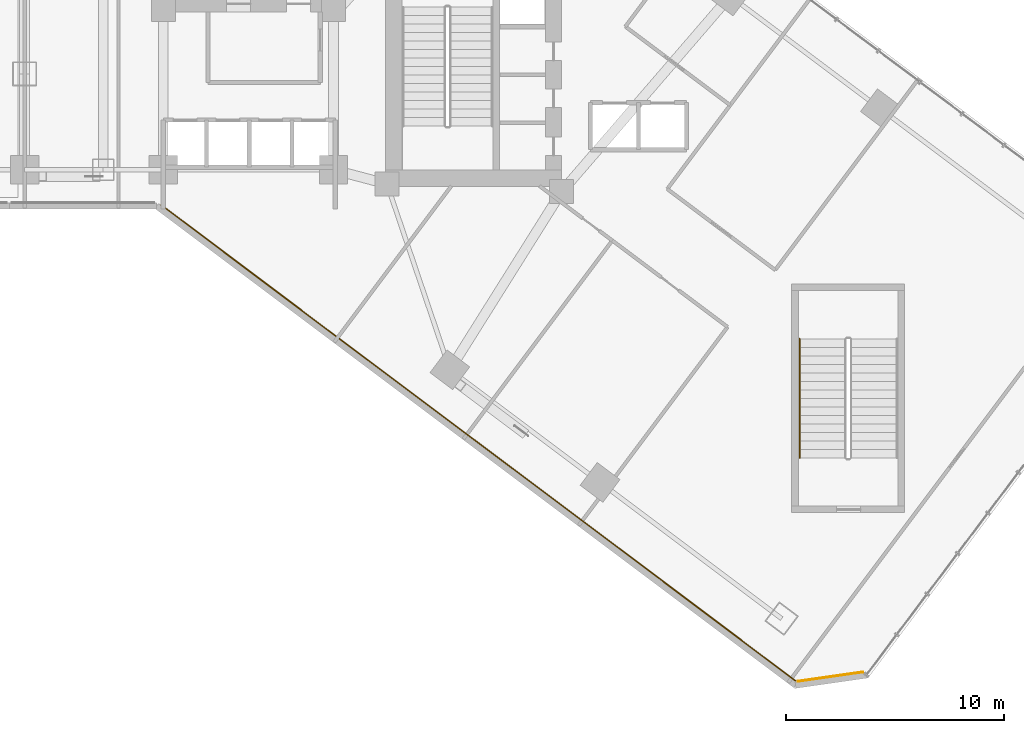
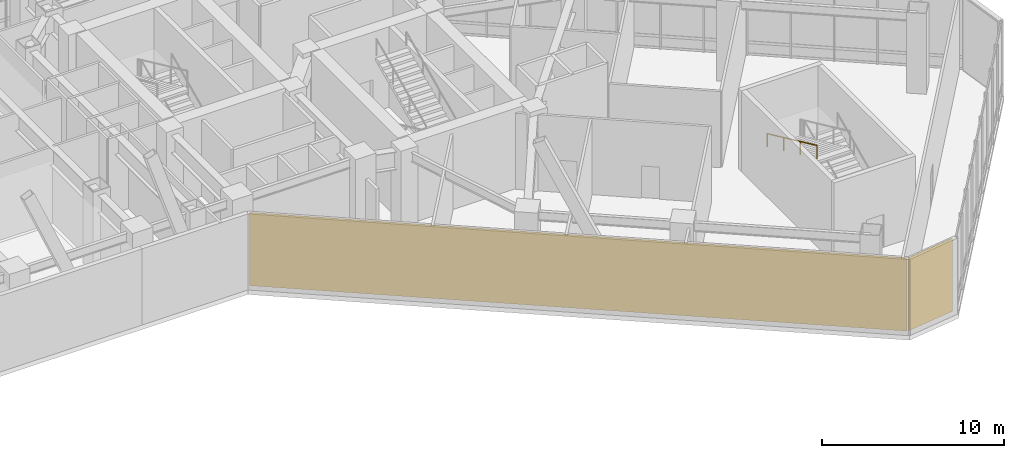
# One storey, part 32 of 35: 2 coverings, 1 railing.
"""IFC4 building model written with IfcOpenShell, lengths in metres."""

from ifc_helpers import new_model, si_unit, direction, frame, origin, origin_2d, place, context, subcontext, project, spatial, rectangle, circle, extrude, material, layer, layer_set, type_object, element, save


model = new_model("IFC4")

# Units and contexts
model_context = context("Model", 3, precision=1e-05, world=origin(), true_north=direction((0.0, 1.0)))
body_context = subcontext(model_context, "Body", "Model", "MODEL_VIEW")
ifc_project = project(units=[si_unit("LENGTHUNIT", "METRE"), si_unit("AREAUNIT", "SQUARE_METRE"), si_unit("VOLUMEUNIT", "CUBIC_METRE"), si_unit("PLANEANGLEUNIT", "RADIAN"), si_unit("MASSUNIT", "GRAM", prefix="KILO")], contexts=[model_context])

# Site, building, storey
site_placement = place(None, origin())
site = spatial("IfcSite", under=ifc_project, at=site_placement, CompositionType="ELEMENT")
building_placement = place(site_placement, origin())
building = spatial("IfcBuilding", under=site, at=building_placement, Name="Hatsunagi Terrace Concourse", CompositionType="ELEMENT")
storey_placement = place(building_placement, frame((0.0, 0.0, 10.800048828125)))
storey = spatial("IfcBuildingStorey", under=building, at=storey_placement, Name="L03", CompositionType="ELEMENT", Elevation=10.800048828125)

# Railing
ifc_material_1 = material(Name="Stainless steel", Category="steel")
ifc_layer_1 = layer(ifc_material_1, 0.050048828125)
ifc_layer_set_1 = layer_set([ifc_layer_1], Name="StairPitchHandrail_Podium2200")
railing_type = type_object("IfcRailingType", Name="StairPitchHandrail_Podium2200", PredefinedType="HANDRAIL", material=ifc_layer_set_1)
railing_placement = place(storey_placement, frame((54.699951171875, 17.4599609375, 2.8798828125)))
element("IfcRailing", 1, at=railing_placement, inside=storey, type_object=railing_type, Name="L03 ST-P2 stair handrail 2", PredefinedType="HANDRAIL", context=body_context, shape_type="SweptSolid", body=[
    extrude(circle(Radius=0.02392578125, at=origin_2d()), frame((0.0, 0.0, 0.8759765625), z_axis=(0.0, -0.907957007956, 0.419063326602), x_axis=(1.0, 0.0, 0.0)), (0.0, 0.0, 1.0), 6.013427734375),
    extrude(circle(Radius=0.02099609375, at=origin_2d()), origin(), (0.0, 0.0, 1.0), 0.851806640625),
    extrude(circle(Radius=0.02099609375, at=origin_2d()), frame((0.0, -1.820068359375, 0.840087890625)), (0.0, 0.0, 1.0), 0.851806640625),
    extrude(circle(Radius=0.02099609375, at=origin_2d()), frame((0.0, -3.639892578125, 1.679931640625)), (0.0, 0.0, 1.0), 0.851806640625),
    extrude(circle(Radius=0.02099609375, at=origin_2d()), frame((0.0, -5.4599609375, 2.52001953125)), (0.0, 0.0, 1.0), 0.851806640625),
])

# Coverings
ifc_material_2 = material(Name="Unglazed Warm Terracotta Rainscreen Tile", Category="masonry")
ifc_layer_2 = layer(ifc_material_2, 0.044921875)
ifc_layer_set_2 = layer_set([ifc_layer_2], Name="TerracottaRainscreenCladding_45")
covering_type = type_object("IfcCoveringType", Name="TerracottaRainscreenCladding_45", PredefinedType="CLADDING", material=ifc_layer_set_2)
covering_1_placement = place(storey_placement, frame((56.117919921875, 1.97900390625, 0.10009765625), z_axis=(0.0, 0.0, 1.0), x_axis=(-0.989973920543, -0.141250262458, 0.0)))
element("IfcCovering", 2, at=covering_1_placement, inside=storey, type_object=covering_type, Name="Terracotta Rainscreen Cladding L03-04", PredefinedType="CLADDING", context=body_context, shape_type="SweptSolid", body=[
    extrude(rectangle(XDim=3.0380859375, YDim=0.044921875, at=origin_2d()), origin(), (0.0, 0.0, 1.0), 4.89990234375),
])
covering_2_placement = place(storey_placement, frame((39.97998046875, 12.693115234375, 0.10009765625), z_axis=(0.0, 0.0, 1.0), x_axis=(-0.800003116929, 0.599995844072, 0.0)))
element("IfcCovering", 3, at=covering_2_placement, inside=storey, type_object=covering_type, Name="Terracotta Rainscreen Cladding L03-05", PredefinedType="CLADDING", context=body_context, shape_type="SweptSolid", body=[
    extrude(rectangle(XDim=36.34912109375, YDim=0.044921875, at=origin_2d()), origin(), (0.0, 0.0, 1.0), 4.89990234375),
])

save(model, "model.ifc")
